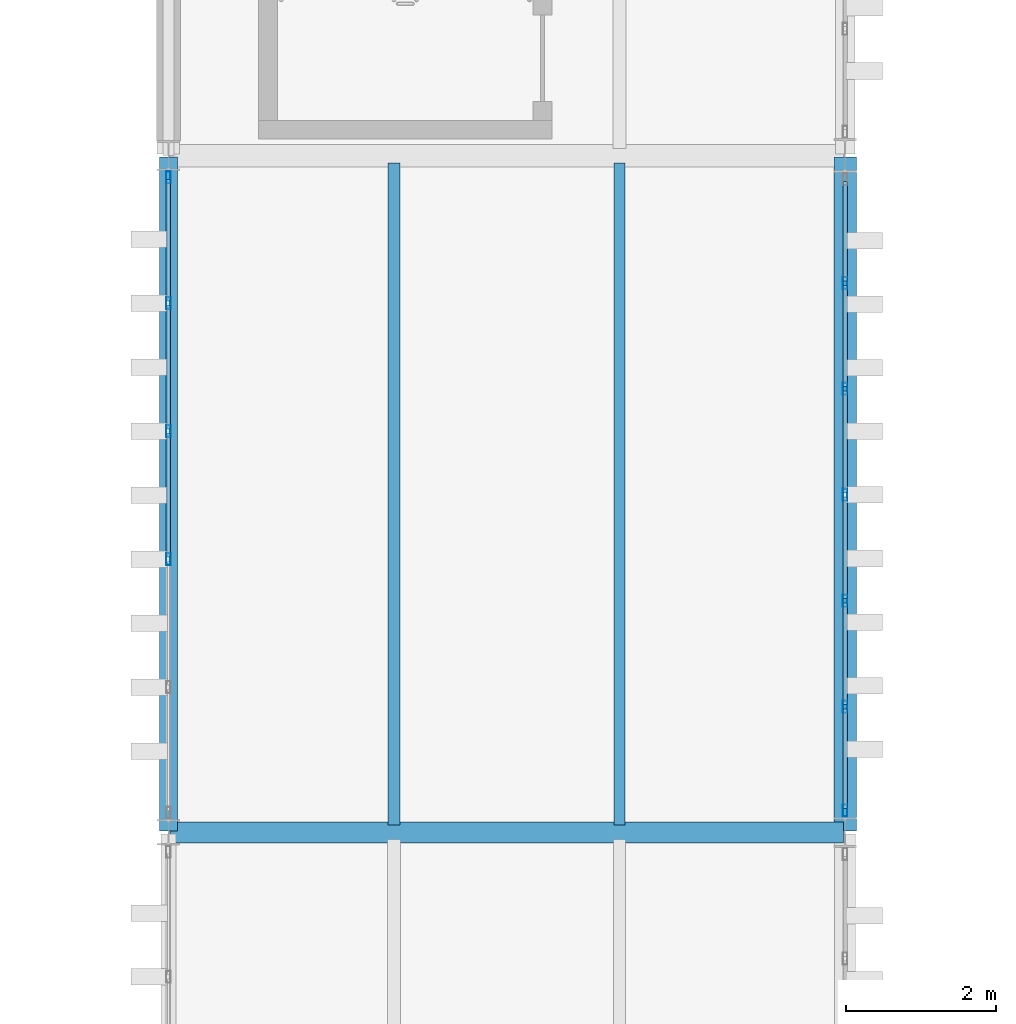
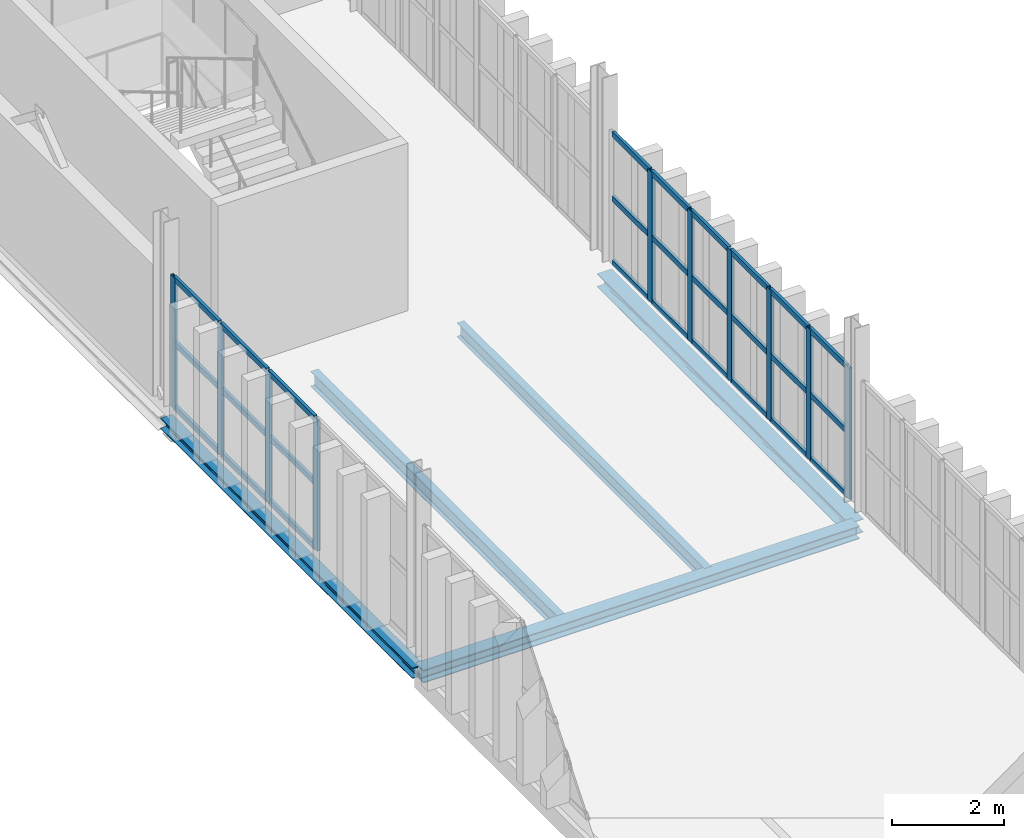
# One storey, part 54 of 102: 37 members, 5 beams, 2 elements without a shape of their own.
"""IFC4 building model written with IfcOpenShell, lengths in metres."""

import ifcopenshell
import ifcopenshell.guid

model = None  # the IFC model being written
_history = None  # IfcOwnerHistory: only IFC2X3 demands one
_inside = {}  # id of a spatial element -> (the spatial element, [elements in it])
_under = {}  # id of a project, library or spatial element -> (it, [spatial elements below it])
_declared = {}  # id of a project -> (the project, [libraries it declares])
_typed = {}  # id of a type object -> (the type object, [elements of that type])
_made_of = {}  # id of a material, layer set ... -> (it, [elements and type objects made of it])


def new_model(schema):
    """Start an empty IFC model of exactly this schema.

    Asked for "IFC4X3", IfcOpenShell would pick the latest addendum, in which some entities
    have other attributes; the version numbers below select the first issue.
    IFC2X3 requires an IfcOwnerHistory on every rooted entity: one is made here for all.
    """
    global model, _history
    if schema == "IFC4X3":
        model = ifcopenshell.file(schema_version=(4, 3, 0, 0))
    else:
        model = ifcopenshell.file(schema=schema)
    _inside.clear()
    _under.clear()
    _declared.clear()
    _typed.clear()
    _made_of.clear()
    _history = None
    if model.schema == "IFC2X3":
        org = make("IfcOrganization", Name="unknown")
        user = make(
            "IfcPersonAndOrganization",
            ThePerson=make("IfcPerson", FamilyName="unknown"),
            TheOrganization=org,
        )
        app = make(
            "IfcApplication",
            ApplicationDeveloper=org,
            Version="unknown",
            ApplicationFullName="unknown",
            ApplicationIdentifier="unknown",
        )
        _history = make(
            "IfcOwnerHistory",
            OwningUser=user,
            OwningApplication=app,
            ChangeAction="ADDED",
            CreationDate=0,
        )
    return model


def make(cls, **values):
    """One entity of the class cls with the attributes given. An attribute that is None is left unset."""
    return model.create_entity(
        cls, **{name: value for name, value in values.items() if value is not None}
    )


def rooted(cls, **values):
    """An entity with a GlobalId (a new one), such as an element, a storey or a relation."""
    return make(cls, GlobalId=ifcopenshell.guid.new(), OwnerHistory=_history, **values)


def si_unit(unit_type, name, prefix=None):
    """IfcSIUnit, for example si_unit("LENGTHUNIT", "METRE", prefix="MILLI")."""
    return make("IfcSIUnit", UnitType=unit_type, Prefix=prefix, Name=name)


def assignment(units):
    """IfcUnitAssignment: the units of a project."""
    return None if units is None else make("IfcUnitAssignment", Units=units)


def point(xyz):
    """IfcCartesianPoint."""
    return None if xyz is None else make("IfcCartesianPoint", Coordinates=xyz)


def direction(xyz):
    """IfcDirection."""
    return None if xyz is None else make("IfcDirection", DirectionRatios=xyz)


def frame(location, z_axis=None, x_axis=None):
    """IfcAxis2Placement3D, a coordinate frame: its origin and axes. An axis left out is left unset."""
    return make(
        "IfcAxis2Placement3D",
        Location=point(location),
        Axis=direction(z_axis),
        RefDirection=direction(x_axis),
    )


def frame_2d(location, x_axis=None):
    """IfcAxis2Placement2D, a coordinate frame in the plane: its origin and x axis."""
    return make(
        "IfcAxis2Placement2D", Location=point(location), RefDirection=direction(x_axis)
    )


def origin():
    """The frame at (0, 0, 0) with its axes left unset."""
    return frame((0.0, 0.0, 0.0))


def origin_2d():
    """The frame at (0, 0) in the plane with its x axis left unset."""
    return frame_2d((0.0, 0.0))


def place(relative_to, where):
    """IfcLocalPlacement: puts the frame where relative to a parent placement (None: the world)."""
    return make(
        "IfcLocalPlacement", PlacementRelTo=relative_to, RelativePlacement=where
    )


def context(
    kind, dimensions, precision=None, world=None, true_north=None, identifier=None
):
    """IfcGeometricRepresentationContext, for example the 3D "Model" context."""
    return make(
        "IfcGeometricRepresentationContext",
        ContextIdentifier=identifier,
        ContextType=kind,
        CoordinateSpaceDimension=dimensions,
        Precision=precision,
        WorldCoordinateSystem=world,
        TrueNorth=true_north,
    )


def subcontext(parent, identifier, kind, view, scale=None):
    """IfcGeometricRepresentationSubContext, for example "Body" below "Model"."""
    return make(
        "IfcGeometricRepresentationSubContext",
        ContextIdentifier=identifier,
        ContextType=kind,
        ParentContext=parent,
        TargetScale=scale,
        TargetView=view,
    )


def project(units=None, contexts=None):
    """IfcProject with its units and contexts."""
    return rooted(
        "IfcProject",
        Name="project",
        RepresentationContexts=contexts,
        UnitsInContext=assignment(units),
    )


def spatial(cls, under=None, at=None, **own):
    """A site, building, storey or space (cls), placed at a placement, below another one or the project."""
    s = rooted(cls, ObjectPlacement=at, **own)
    if under is not None:
        _under.setdefault(under.id(), (under, []))[1].append(s)
    return s


def profile(cls, at=None, kind="AREA", **sizes):
    """A parametric profile (cls). Its sizes go by their IFC names, for example OverallWidth=200.0."""
    return make(cls, ProfileType=kind, Position=at, **sizes)


def hollow_rectangle(**sizes):
    """IfcRectangleHollowProfileDef."""
    return profile("IfcRectangleHollowProfileDef", **sizes)


def i_section(**sizes):
    """IfcIShapeProfileDef."""
    return profile("IfcIShapeProfileDef", **sizes)


def extrude(swept, where, along, depth):
    """IfcExtrudedAreaSolid: the profile swept, set in the frame where, extruded along a direction by depth."""
    return make(
        "IfcExtrudedAreaSolid",
        SweptArea=swept,
        Position=where,
        ExtrudedDirection=direction(along),
        Depth=depth,
    )


def shape(context_of_items, identifier, shape_type, items):
    """IfcShapeRepresentation: the items that make up one representation, for example the "Body"."""
    return make(
        "IfcShapeRepresentation",
        ContextOfItems=context_of_items,
        RepresentationIdentifier=identifier,
        RepresentationType=shape_type,
        Items=items,
    )


def material(Name=None, Category=None):
    """IfcMaterial."""
    return make("IfcMaterial", Name=Name, Category=Category)


def layer(
    of_material, thickness, ventilated=None, Name=None, Category=None, Priority=None
):
    """IfcMaterialLayer: one layer of a wall or slab, of a material (None: an air gap)."""
    return make(
        "IfcMaterialLayer",
        Material=of_material,
        LayerThickness=thickness,
        IsVentilated=ventilated,
        Name=Name,
        Category=Category,
        Priority=Priority,
    )


def layer_set(layers, Name=None):
    """IfcMaterialLayerSet."""
    return make("IfcMaterialLayerSet", MaterialLayers=layers, LayerSetName=Name)


def material_profile(
    of_material, cross_section, Name=None, Category=None, Priority=None
):
    """IfcMaterialProfile: a cross section and its material."""
    return make(
        "IfcMaterialProfile",
        Name=Name,
        Material=of_material,
        Profile=cross_section,
        Priority=Priority,
        Category=Category,
    )


def profile_set(profiles, Name=None, composite=None):
    """IfcMaterialProfileSet."""
    return make(
        "IfcMaterialProfileSet",
        Name=Name,
        MaterialProfiles=profiles,
        CompositeProfile=composite,
    )


def made_of(thing, what):
    """Note that an element or type object is made of a material, layer set ...; save() writes the relation."""
    if what is not None:
        _made_of.setdefault(what.id(), (what, []))[1].append(thing)
    return thing


def type_object(cls, material=None, **own):
    """A type object (cls), such as IfcWallType, which elements share."""
    return made_of(rooted(cls, **own), material)


def element(
    cls,
    number,
    at=None,
    inside=None,
    cuts=None,
    type_object=None,
    material=None,
    context=None,
    identifier="Body",
    shape_type=None,
    held_by="IfcProductDefinitionShape",
    body=None,
    shapes=None,
    **own,
):
    """One element of the class cls, such as IfcWall. Its Tag is "e" and its number.

    at: its placement. inside: the storey or other place that contains it. cuts: it is an
    opening in that element (IfcRelVoidsElement). A single representation is given by context,
    identifier, shape_type and body (its items); several are given by shapes. held_by: the class
    of the entity that holds the representations. save() writes the other relations.
    """
    e = rooted(cls, Tag="e%d" % number, ObjectPlacement=at, **own)
    if body is not None:
        shapes = [shape(context, identifier, shape_type, body)]
    if shapes is not None:
        e.Representation = make(held_by, Representations=shapes)
    if inside is not None:
        _inside.setdefault(inside.id(), (inside, []))[1].append(e)
    if cuts is not None:
        rooted(
            "IfcRelVoidsElement", RelatingBuildingElement=cuts, RelatedOpeningElement=e
        )
    if type_object is not None:
        _typed.setdefault(type_object.id(), (type_object, []))[1].append(e)
    return made_of(e, material)


def aggregate(whole, parts):
    """IfcRelAggregates: a whole, such as a stair, and the parts it consists of."""
    return rooted("IfcRelAggregates", RelatingObject=whole, RelatedObjects=parts)


def save(model, path):
    """Write the relations noted so far, then the file.

    IfcRelAggregates (storeys below a building ...), IfcRelContainedInSpatialStructure (elements
    in a storey), IfcRelDefinesByType, IfcRelAssociatesMaterial and IfcRelDeclares: one each for
    every whole, place, type object, material and project.
    """
    for whole, parts in _under.values():
        aggregate(whole, parts)
    for where, things in _inside.values():
        rooted(
            "IfcRelContainedInSpatialStructure",
            RelatedElements=things,
            RelatingStructure=where,
        )
    for kind, things in _typed.values():
        rooted("IfcRelDefinesByType", RelatedObjects=things, RelatingType=kind)
    for what, things in _made_of.values():
        rooted("IfcRelAssociatesMaterial", RelatedObjects=things, RelatingMaterial=what)
    for by, libraries in _declared.values():
        rooted("IfcRelDeclares", RelatingContext=by, RelatedDefinitions=libraries)
    model.write(path)


model = new_model("IFC4")

# Units and contexts
model_context = context("Model", 3, precision=1e-05, world=origin(), true_north=direction((0.0, 1.0)))
body_context = subcontext(model_context, "Body", "Model", "MODEL_VIEW")
ifc_project = project(units=[si_unit("LENGTHUNIT", "METRE"), si_unit("AREAUNIT", "SQUARE_METRE"), si_unit("VOLUMEUNIT", "CUBIC_METRE"), si_unit("PLANEANGLEUNIT", "RADIAN"), si_unit("MASSUNIT", "GRAM", prefix="KILO")], contexts=[model_context])

# Site, building, storey
site_placement = place(None, origin())
site = spatial("IfcSite", under=ifc_project, at=site_placement, CompositionType="ELEMENT")
building_placement = place(site_placement, origin())
building = spatial("IfcBuilding", under=site, at=building_placement, Name="Barlavento Convention Centre", CompositionType="ELEMENT")
storey_placement = place(building_placement, frame((0.0, 0.0, 22.800048828125)))
storey = spatial("IfcBuildingStorey", under=building, at=storey_placement, Name="L04", CompositionType="ELEMENT", Elevation=22.800048828125)

# Curtain wall, members
ifc_material_1 = material(Name="Powder-coated aluminium and Low-E glass", Category="aluminium")
ifc_layer_1 = layer(ifc_material_1, 0.179931640625)
ifc_layer_set_1 = layer_set([ifc_layer_1], Name="ARC-CW-PATIO-B")
curtain_wall_type_1 = type_object("IfcCurtainWallType", Name="ARC-CW-PATIO-B", PredefinedType="NOTDEFINED", material=ifc_layer_set_1)
curtain_wall_1_placement = place(storey_placement, origin())
curtain_wall_1 = element("IfcCurtainWall", 1, at=curtain_wall_1_placement, inside=storey, type_object=curtain_wall_type_1, Name="L04 unitised curtain wall CW12", PredefinedType="NOTDEFINED")
ifc_material_2 = material(Name="Powder-coated aluminium", Category="aluminium")
ifc_material_profile_1 = material_profile(ifc_material_2, hollow_rectangle(XDim=0.06005859375, YDim=0.159912109375, WallThickness=0.00390625, at=origin_2d()), Name="AL-MULL 60x160x4")
ifc_profile_set_1 = profile_set([ifc_material_profile_1], Name="Powder-coated aluminium")
member_type_1 = type_object("IfcMemberType", Name="ARC-CWM-60X160", PredefinedType="MULLION", material=ifc_profile_set_1)
member_1_placement = place(storey_placement, frame((135.0, 72.2900390625, 0.0), z_axis=(0.0, 0.0, 1.0), x_axis=(-1.0, 0.0, 0.0)))
member_1 = element("IfcMember", 2, at=member_1_placement, type_object=member_type_1, Name="CW12 mullion 1", PredefinedType="MULLION", context=body_context, shape_type="SweptSolid", body=[
    extrude(hollow_rectangle(XDim=0.06005859375, YDim=0.159912109375, WallThickness=0.00390625, at=origin_2d()), origin(), (0.0, 0.0, 1.0), 2.849853515625),
])
member_2_placement = place(storey_placement, frame((135.0, 73.669189453125, 0.0), z_axis=(0.0, 0.0, 1.0), x_axis=(-1.0, 0.0, 0.0)))
member_2 = element("IfcMember", 3, at=member_2_placement, type_object=member_type_1, Name="CW12 mullion 2", PredefinedType="MULLION", context=body_context, shape_type="SweptSolid", body=[
    extrude(hollow_rectangle(XDim=0.06005859375, YDim=0.159912109375, WallThickness=0.00390625, at=origin_2d()), origin(), (0.0, 0.0, 1.0), 2.849853515625),
])
member_3_placement = place(storey_placement, frame((135.0, 75.078369140625, 0.0), z_axis=(0.0, 0.0, 1.0), x_axis=(-1.0, 0.0, 0.0)))
member_3 = element("IfcMember", 4, at=member_3_placement, type_object=member_type_1, Name="CW12 mullion 3", PredefinedType="MULLION", context=body_context, shape_type="SweptSolid", body=[
    extrude(hollow_rectangle(XDim=0.06005859375, YDim=0.159912109375, WallThickness=0.00390625, at=origin_2d()), origin(), (0.0, 0.0, 1.0), 2.849853515625),
])
member_4_placement = place(storey_placement, frame((135.0, 76.487548828125, 0.0), z_axis=(0.0, 0.0, 1.0), x_axis=(-1.0, 0.0, 0.0)))
member_4 = element("IfcMember", 5, at=member_4_placement, type_object=member_type_1, Name="CW12 mullion 4", PredefinedType="MULLION", context=body_context, shape_type="SweptSolid", body=[
    extrude(hollow_rectangle(XDim=0.06005859375, YDim=0.159912109375, WallThickness=0.00390625, at=origin_2d()), origin(), (0.0, 0.0, 1.0), 2.849853515625),
])
member_5_placement = place(storey_placement, frame((135.0, 77.896728515625, 0.0), z_axis=(0.0, 0.0, 1.0), x_axis=(-1.0, 0.0, 0.0)))
member_5 = element("IfcMember", 6, at=member_5_placement, type_object=member_type_1, Name="CW12 mullion 5", PredefinedType="MULLION", context=body_context, shape_type="SweptSolid", body=[
    extrude(hollow_rectangle(XDim=0.06005859375, YDim=0.159912109375, WallThickness=0.00390625, at=origin_2d()), origin(), (0.0, 0.0, 1.0), 2.849853515625),
])
member_6_placement = place(storey_placement, frame((135.0, 79.305908203125, 0.0), z_axis=(0.0, 0.0, 1.0), x_axis=(-1.0, 0.0, 0.0)))
member_6 = element("IfcMember", 7, at=member_6_placement, type_object=member_type_1, Name="CW12 mullion 6", PredefinedType="MULLION", context=body_context, shape_type="SweptSolid", body=[
    extrude(hollow_rectangle(XDim=0.06005859375, YDim=0.159912109375, WallThickness=0.00390625, at=origin_2d()), origin(), (0.0, 0.0, 1.0), 2.849853515625),
])

ifc_layer_2 = layer(ifc_material_1, 0.18505859375)
ifc_layer_set_2 = layer_set([ifc_layer_2], Name="ARC-CW-CONF-L04")
curtain_wall_type_2 = type_object("IfcCurtainWallType", Name="ARC-CW-CONF-L04", PredefinedType="NOTDEFINED", material=ifc_layer_set_2)
curtain_wall_2_placement = place(storey_placement, origin())
curtain_wall_2 = element("IfcCurtainWall", 8, at=curtain_wall_2_placement, inside=storey, type_object=curtain_wall_type_2, Name="L04 unitised curtain wall CW09", PredefinedType="NOTDEFINED")
member_7_placement = place(storey_placement, frame((126.0, 75.634033203125, 0.0), z_axis=(0.0, 0.0, 1.0), x_axis=(-1.0, 0.0, 0.0)))
member_7 = element("IfcMember", 9, at=member_7_placement, type_object=member_type_1, Name="CW09 mullion 3", PredefinedType="MULLION", context=body_context, shape_type="SweptSolid", body=[
    extrude(hollow_rectangle(XDim=0.06005859375, YDim=0.159912109375, WallThickness=0.00390625, at=origin_2d()), origin(), (0.0, 0.0, 1.0), 2.849853515625),
])
member_8_placement = place(storey_placement, frame((126.0, 77.3359375, 0.0), z_axis=(0.0, 0.0, 1.0), x_axis=(-1.0, 0.0, 0.0)))
member_8 = element("IfcMember", 10, at=member_8_placement, type_object=member_type_1, Name="CW09 mullion 4", PredefinedType="MULLION", context=body_context, shape_type="SweptSolid", body=[
    extrude(hollow_rectangle(XDim=0.06005859375, YDim=0.159912109375, WallThickness=0.00390625, at=origin_2d()), origin(), (0.0, 0.0, 1.0), 2.849853515625),
])
member_9_placement = place(storey_placement, frame((126.0, 79.0380859375, 0.0), z_axis=(0.0, 0.0, 1.0), x_axis=(-1.0, 0.0, 0.0)))
member_9 = element("IfcMember", 11, at=member_9_placement, type_object=member_type_1, Name="CW09 mullion 5", PredefinedType="MULLION", context=body_context, shape_type="SweptSolid", body=[
    extrude(hollow_rectangle(XDim=0.06005859375, YDim=0.159912109375, WallThickness=0.00390625, at=origin_2d()), origin(), (0.0, 0.0, 1.0), 2.849853515625),
])
member_10_placement = place(storey_placement, frame((126.0, 80.7099609375, 0.0), z_axis=(0.0, 0.0, 1.0), x_axis=(-1.0, 0.0, 0.0)))
member_10 = element("IfcMember", 12, at=member_10_placement, type_object=member_type_1, Name="CW09 mullion 6", PredefinedType="MULLION", context=body_context, shape_type="SweptSolid", body=[
    extrude(hollow_rectangle(XDim=0.06005859375, YDim=0.159912109375, WallThickness=0.00390625, at=origin_2d()), origin(), (0.0, 0.0, 1.0), 2.849853515625),
])

# Member
ifc_material_profile_2 = material_profile(ifc_material_2, hollow_rectangle(XDim=0.06005859375, YDim=0.1201171875, WallThickness=0.00390625, at=origin_2d()), Name="AL-TRAN 60x120x4")
ifc_profile_set_2 = profile_set([ifc_material_profile_2], Name="Powder-coated aluminium")
member_type_2 = type_object("IfcMemberType", Name="ARC-CWT-60X120", PredefinedType="USERDEFINED", material=ifc_profile_set_2)
member_11_placement = place(storey_placement, frame((135.0, 72.320068359375, 0.030029296875), z_axis=(0.0, 1.0, 0.0), x_axis=(-1.0, 0.0, 0.0)))
member_11 = element("IfcMember", 13, at=member_11_placement, type_object=member_type_2, Name="CW12 transom 1.1", ObjectType="TRANSOM", PredefinedType="USERDEFINED", context=body_context, shape_type="SweptSolid", body=[
    extrude(hollow_rectangle(XDim=0.06005859375, YDim=0.1201171875, WallThickness=0.00390625, at=origin_2d()), origin(), (0.0, 0.0, 1.0), 1.319091796875),
])

member_12_placement = place(storey_placement, frame((135.0, 72.320068359375, 1.425048828125), z_axis=(0.0, 1.0, 0.0), x_axis=(-1.0, 0.0, 0.0)))
member_12 = element("IfcMember", 14, at=member_12_placement, type_object=member_type_2, Name="CW12 transom 1.2", ObjectType="TRANSOM", PredefinedType="USERDEFINED", context=body_context, shape_type="SweptSolid", body=[
    extrude(hollow_rectangle(XDim=0.06005859375, YDim=0.1201171875, WallThickness=0.00390625, at=origin_2d()), origin(), (0.0, 0.0, 1.0), 1.319091796875),
])

member_13_placement = place(storey_placement, frame((135.0, 72.320068359375, 2.820068359375), z_axis=(0.0, 1.0, 0.0), x_axis=(-1.0, 0.0, 0.0)))
member_13 = element("IfcMember", 15, at=member_13_placement, type_object=member_type_2, Name="CW12 transom 1.3", ObjectType="TRANSOM", PredefinedType="USERDEFINED", context=body_context, shape_type="SweptSolid", body=[
    extrude(hollow_rectangle(XDim=0.06005859375, YDim=0.1201171875, WallThickness=0.00390625, at=origin_2d()), origin(), (0.0, 0.0, 1.0), 1.319091796875),
])

member_14_placement = place(storey_placement, frame((135.0, 73.69921875, 0.030029296875), z_axis=(0.0, 1.0, 0.0), x_axis=(-1.0, 0.0, 0.0)))
member_14 = element("IfcMember", 16, at=member_14_placement, type_object=member_type_2, Name="CW12 transom 2.1", ObjectType="TRANSOM", PredefinedType="USERDEFINED", context=body_context, shape_type="SweptSolid", body=[
    extrude(hollow_rectangle(XDim=0.06005859375, YDim=0.1201171875, WallThickness=0.00390625, at=origin_2d()), origin(), (0.0, 0.0, 1.0), 1.34912109375),
])

member_15_placement = place(storey_placement, frame((135.0, 73.69921875, 1.425048828125), z_axis=(0.0, 1.0, 0.0), x_axis=(-1.0, 0.0, 0.0)))
member_15 = element("IfcMember", 17, at=member_15_placement, type_object=member_type_2, Name="CW12 transom 2.2", ObjectType="TRANSOM", PredefinedType="USERDEFINED", context=body_context, shape_type="SweptSolid", body=[
    extrude(hollow_rectangle(XDim=0.06005859375, YDim=0.1201171875, WallThickness=0.00390625, at=origin_2d()), origin(), (0.0, 0.0, 1.0), 1.34912109375),
])

member_16_placement = place(storey_placement, frame((135.0, 73.69921875, 2.820068359375), z_axis=(0.0, 1.0, 0.0), x_axis=(-1.0, 0.0, 0.0)))
member_16 = element("IfcMember", 18, at=member_16_placement, type_object=member_type_2, Name="CW12 transom 2.3", ObjectType="TRANSOM", PredefinedType="USERDEFINED", context=body_context, shape_type="SweptSolid", body=[
    extrude(hollow_rectangle(XDim=0.06005859375, YDim=0.1201171875, WallThickness=0.00390625, at=origin_2d()), origin(), (0.0, 0.0, 1.0), 1.34912109375),
])

member_17_placement = place(storey_placement, frame((135.0, 75.1083984375, 0.030029296875), z_axis=(0.0, 1.0, 0.0), x_axis=(-1.0, 0.0, 0.0)))
member_17 = element("IfcMember", 19, at=member_17_placement, type_object=member_type_2, Name="CW12 transom 3.1", ObjectType="TRANSOM", PredefinedType="USERDEFINED", context=body_context, shape_type="SweptSolid", body=[
    extrude(hollow_rectangle(XDim=0.06005859375, YDim=0.1201171875, WallThickness=0.00390625, at=origin_2d()), origin(), (0.0, 0.0, 1.0), 1.34912109375),
])

member_18_placement = place(storey_placement, frame((135.0, 75.1083984375, 1.425048828125), z_axis=(0.0, 1.0, 0.0), x_axis=(-1.0, 0.0, 0.0)))
member_18 = element("IfcMember", 20, at=member_18_placement, type_object=member_type_2, Name="CW12 transom 3.2", ObjectType="TRANSOM", PredefinedType="USERDEFINED", context=body_context, shape_type="SweptSolid", body=[
    extrude(hollow_rectangle(XDim=0.06005859375, YDim=0.1201171875, WallThickness=0.00390625, at=origin_2d()), origin(), (0.0, 0.0, 1.0), 1.34912109375),
])

member_19_placement = place(storey_placement, frame((135.0, 75.1083984375, 2.820068359375), z_axis=(0.0, 1.0, 0.0), x_axis=(-1.0, 0.0, 0.0)))
member_19 = element("IfcMember", 21, at=member_19_placement, type_object=member_type_2, Name="CW12 transom 3.3", ObjectType="TRANSOM", PredefinedType="USERDEFINED", context=body_context, shape_type="SweptSolid", body=[
    extrude(hollow_rectangle(XDim=0.06005859375, YDim=0.1201171875, WallThickness=0.00390625, at=origin_2d()), origin(), (0.0, 0.0, 1.0), 1.34912109375),
])

member_20_placement = place(storey_placement, frame((135.0, 76.517578125, 0.030029296875), z_axis=(0.0, 1.0, 0.0), x_axis=(-1.0, 0.0, 0.0)))
member_20 = element("IfcMember", 22, at=member_20_placement, type_object=member_type_2, Name="CW12 transom 4.1", ObjectType="TRANSOM", PredefinedType="USERDEFINED", context=body_context, shape_type="SweptSolid", body=[
    extrude(hollow_rectangle(XDim=0.06005859375, YDim=0.1201171875, WallThickness=0.00390625, at=origin_2d()), origin(), (0.0, 0.0, 1.0), 1.34912109375),
])

member_21_placement = place(storey_placement, frame((135.0, 76.517578125, 1.425048828125), z_axis=(0.0, 1.0, 0.0), x_axis=(-1.0, 0.0, 0.0)))
member_21 = element("IfcMember", 23, at=member_21_placement, type_object=member_type_2, Name="CW12 transom 4.2", ObjectType="TRANSOM", PredefinedType="USERDEFINED", context=body_context, shape_type="SweptSolid", body=[
    extrude(hollow_rectangle(XDim=0.06005859375, YDim=0.1201171875, WallThickness=0.00390625, at=origin_2d()), origin(), (0.0, 0.0, 1.0), 1.34912109375),
])

member_22_placement = place(storey_placement, frame((135.0, 76.517578125, 2.820068359375), z_axis=(0.0, 1.0, 0.0), x_axis=(-1.0, 0.0, 0.0)))
member_22 = element("IfcMember", 24, at=member_22_placement, type_object=member_type_2, Name="CW12 transom 4.3", ObjectType="TRANSOM", PredefinedType="USERDEFINED", context=body_context, shape_type="SweptSolid", body=[
    extrude(hollow_rectangle(XDim=0.06005859375, YDim=0.1201171875, WallThickness=0.00390625, at=origin_2d()), origin(), (0.0, 0.0, 1.0), 1.34912109375),
])

member_23_placement = place(storey_placement, frame((135.0, 77.9267578125, 0.030029296875), z_axis=(0.0, 1.0, 0.0), x_axis=(-1.0, 0.0, 0.0)))
member_23 = element("IfcMember", 25, at=member_23_placement, type_object=member_type_2, Name="CW12 transom 5.1", ObjectType="TRANSOM", PredefinedType="USERDEFINED", context=body_context, shape_type="SweptSolid", body=[
    extrude(hollow_rectangle(XDim=0.06005859375, YDim=0.1201171875, WallThickness=0.00390625, at=origin_2d()), origin(), (0.0, 0.0, 1.0), 1.34912109375),
])

member_24_placement = place(storey_placement, frame((135.0, 77.9267578125, 1.425048828125), z_axis=(0.0, 1.0, 0.0), x_axis=(-1.0, 0.0, 0.0)))
member_24 = element("IfcMember", 26, at=member_24_placement, type_object=member_type_2, Name="CW12 transom 5.2", ObjectType="TRANSOM", PredefinedType="USERDEFINED", context=body_context, shape_type="SweptSolid", body=[
    extrude(hollow_rectangle(XDim=0.06005859375, YDim=0.1201171875, WallThickness=0.00390625, at=origin_2d()), origin(), (0.0, 0.0, 1.0), 1.34912109375),
])

member_25_placement = place(storey_placement, frame((135.0, 77.9267578125, 2.820068359375), z_axis=(0.0, 1.0, 0.0), x_axis=(-1.0, 0.0, 0.0)))
member_25 = element("IfcMember", 27, at=member_25_placement, type_object=member_type_2, Name="CW12 transom 5.3", ObjectType="TRANSOM", PredefinedType="USERDEFINED", context=body_context, shape_type="SweptSolid", body=[
    extrude(hollow_rectangle(XDim=0.06005859375, YDim=0.1201171875, WallThickness=0.00390625, at=origin_2d()), origin(), (0.0, 0.0, 1.0), 1.34912109375),
])

member_26_placement = place(storey_placement, frame((135.0, 79.3359375, 0.030029296875), z_axis=(0.0, 1.0, 0.0), x_axis=(-1.0, 0.0, 0.0)))
member_26 = element("IfcMember", 28, at=member_26_placement, type_object=member_type_2, Name="CW12 transom 6.1", ObjectType="TRANSOM", PredefinedType="USERDEFINED", context=body_context, shape_type="SweptSolid", body=[
    extrude(hollow_rectangle(XDim=0.06005859375, YDim=0.1201171875, WallThickness=0.00390625, at=origin_2d()), origin(), (0.0, 0.0, 1.0), 1.319091796875),
])

member_27_placement = place(storey_placement, frame((135.0, 79.3359375, 1.425048828125), z_axis=(0.0, 1.0, 0.0), x_axis=(-1.0, 0.0, 0.0)))
member_27 = element("IfcMember", 29, at=member_27_placement, type_object=member_type_2, Name="CW12 transom 6.2", ObjectType="TRANSOM", PredefinedType="USERDEFINED", context=body_context, shape_type="SweptSolid", body=[
    extrude(hollow_rectangle(XDim=0.06005859375, YDim=0.1201171875, WallThickness=0.00390625, at=origin_2d()), origin(), (0.0, 0.0, 1.0), 1.319091796875),
])

member_28_placement = place(storey_placement, frame((135.0, 79.3359375, 2.820068359375), z_axis=(0.0, 1.0, 0.0), x_axis=(-1.0, 0.0, 0.0)))
member_28 = element("IfcMember", 30, at=member_28_placement, type_object=member_type_2, Name="CW12 transom 6.3", ObjectType="TRANSOM", PredefinedType="USERDEFINED", context=body_context, shape_type="SweptSolid", body=[
    extrude(hollow_rectangle(XDim=0.06005859375, YDim=0.1201171875, WallThickness=0.00390625, at=origin_2d()), origin(), (0.0, 0.0, 1.0), 1.319091796875),
])

aggregate(curtain_wall_1, [member_1, member_2, member_3, member_4, member_5, member_6, member_11, member_12, member_13, member_14, member_15, member_16, member_17, member_18, member_19, member_20, member_21, member_22, member_23, member_24, member_25, member_26, member_27, member_28])

member_29_placement = place(storey_placement, frame((126.0, 75.6640625, 0.030029296875), z_axis=(0.0, 1.0, 0.0), x_axis=(-1.0, 0.0, 0.0)))
member_29 = element("IfcMember", 31, at=member_29_placement, type_object=member_type_2, Name="CW09 transom 3.1", ObjectType="TRANSOM", PredefinedType="USERDEFINED", context=body_context, shape_type="SweptSolid", body=[
    extrude(hollow_rectangle(XDim=0.06005859375, YDim=0.1201171875, WallThickness=0.00390625, at=origin_2d()), origin(), (0.0, 0.0, 1.0), 1.641845703125),
])

member_30_placement = place(storey_placement, frame((126.0, 75.6640625, 1.425048828125), z_axis=(0.0, 1.0, 0.0), x_axis=(-1.0, 0.0, 0.0)))
member_30 = element("IfcMember", 32, at=member_30_placement, type_object=member_type_2, Name="CW09 transom 3.2", ObjectType="TRANSOM", PredefinedType="USERDEFINED", context=body_context, shape_type="SweptSolid", body=[
    extrude(hollow_rectangle(XDim=0.06005859375, YDim=0.1201171875, WallThickness=0.00390625, at=origin_2d()), origin(), (0.0, 0.0, 1.0), 1.641845703125),
])

member_31_placement = place(storey_placement, frame((126.0, 75.6640625, 2.820068359375), z_axis=(0.0, 1.0, 0.0), x_axis=(-1.0, 0.0, 0.0)))
member_31 = element("IfcMember", 33, at=member_31_placement, type_object=member_type_2, Name="CW09 transom 3.3", ObjectType="TRANSOM", PredefinedType="USERDEFINED", context=body_context, shape_type="SweptSolid", body=[
    extrude(hollow_rectangle(XDim=0.06005859375, YDim=0.1201171875, WallThickness=0.00390625, at=origin_2d()), origin(), (0.0, 0.0, 1.0), 1.641845703125),
])

member_32_placement = place(storey_placement, frame((126.0, 77.365966796875, 0.030029296875), z_axis=(0.0, 1.0, 0.0), x_axis=(-1.0, 0.0, 0.0)))
member_32 = element("IfcMember", 34, at=member_32_placement, type_object=member_type_2, Name="CW09 transom 4.1", ObjectType="TRANSOM", PredefinedType="USERDEFINED", context=body_context, shape_type="SweptSolid", body=[
    extrude(hollow_rectangle(XDim=0.06005859375, YDim=0.1201171875, WallThickness=0.00390625, at=origin_2d()), origin(), (0.0, 0.0, 1.0), 1.64208984375),
])

member_33_placement = place(storey_placement, frame((126.0, 77.365966796875, 1.425048828125), z_axis=(0.0, 1.0, 0.0), x_axis=(-1.0, 0.0, 0.0)))
member_33 = element("IfcMember", 35, at=member_33_placement, type_object=member_type_2, Name="CW09 transom 4.2", ObjectType="TRANSOM", PredefinedType="USERDEFINED", context=body_context, shape_type="SweptSolid", body=[
    extrude(hollow_rectangle(XDim=0.06005859375, YDim=0.1201171875, WallThickness=0.00390625, at=origin_2d()), origin(), (0.0, 0.0, 1.0), 1.64208984375),
])

member_34_placement = place(storey_placement, frame((126.0, 77.365966796875, 2.820068359375), z_axis=(0.0, 1.0, 0.0), x_axis=(-1.0, 0.0, 0.0)))
member_34 = element("IfcMember", 36, at=member_34_placement, type_object=member_type_2, Name="CW09 transom 4.3", ObjectType="TRANSOM", PredefinedType="USERDEFINED", context=body_context, shape_type="SweptSolid", body=[
    extrude(hollow_rectangle(XDim=0.06005859375, YDim=0.1201171875, WallThickness=0.00390625, at=origin_2d()), origin(), (0.0, 0.0, 1.0), 1.64208984375),
])

member_35_placement = place(storey_placement, frame((126.0, 79.068115234375, 0.030029296875), z_axis=(0.0, 1.0, 0.0), x_axis=(-1.0, 0.0, 0.0)))
member_35 = element("IfcMember", 37, at=member_35_placement, type_object=member_type_2, Name="CW09 transom 5.1", ObjectType="TRANSOM", PredefinedType="USERDEFINED", context=body_context, shape_type="SweptSolid", body=[
    extrude(hollow_rectangle(XDim=0.06005859375, YDim=0.1201171875, WallThickness=0.00390625, at=origin_2d()), origin(), (0.0, 0.0, 1.0), 1.61181640625),
])

member_36_placement = place(storey_placement, frame((126.0, 79.068115234375, 1.425048828125), z_axis=(0.0, 1.0, 0.0), x_axis=(-1.0, 0.0, 0.0)))
member_36 = element("IfcMember", 38, at=member_36_placement, type_object=member_type_2, Name="CW09 transom 5.2", ObjectType="TRANSOM", PredefinedType="USERDEFINED", context=body_context, shape_type="SweptSolid", body=[
    extrude(hollow_rectangle(XDim=0.06005859375, YDim=0.1201171875, WallThickness=0.00390625, at=origin_2d()), origin(), (0.0, 0.0, 1.0), 1.61181640625),
])

member_37_placement = place(storey_placement, frame((126.0, 79.068115234375, 2.820068359375), z_axis=(0.0, 1.0, 0.0), x_axis=(-1.0, 0.0, 0.0)))
member_37 = element("IfcMember", 39, at=member_37_placement, type_object=member_type_2, Name="CW09 transom 5.3", ObjectType="TRANSOM", PredefinedType="USERDEFINED", context=body_context, shape_type="SweptSolid", body=[
    extrude(hollow_rectangle(XDim=0.06005859375, YDim=0.1201171875, WallThickness=0.00390625, at=origin_2d()), origin(), (0.0, 0.0, 1.0), 1.61181640625),
])

aggregate(curtain_wall_2, [member_7, member_8, member_9, member_10, member_29, member_30, member_31, member_32, member_33, member_34, member_35, member_36, member_37])

# Beams
ifc_material_3 = material(Name="Steel S355", Category="steel")
ifc_material_profile_3 = material_profile(ifc_material_3, i_section(OverallWidth=0.14990234375, OverallDepth=0.300048828125, WebThickness=0.007080078125, FlangeThickness=0.0107421875, FilletRadius=0.014892578125, at=origin_2d()), Name="IPE 300")
ifc_profile_set_3 = profile_set([ifc_material_profile_3], Name="Steel S355")
beam_type_1 = type_object("IfcBeamType", Name="STR-BM-JST-IPE300", PredefinedType="JOIST", material=ifc_profile_set_3)
beam_1_placement = place(storey_placement, frame((132.0, 72.094970703125, -0.510009765625), z_axis=(0.0, 1.0, 0.0), x_axis=(-1.0, 0.0, 0.0)))
element("IfcBeam", 40, at=beam_1_placement, inside=storey, type_object=beam_type_1, Name="L04 composite floor joist SJ07", PredefinedType="JOIST", context=body_context, shape_type="SweptSolid", body=[
    extrude(i_section(OverallWidth=0.14990234375, OverallDepth=0.300048828125, WebThickness=0.007080078125, FlangeThickness=0.0107421875, FilletRadius=0.014892578125, at=origin_2d()), origin(), (0.0, 0.0, 1.0), 8.81005859375),
])
ifc_material_profile_4 = material_profile(ifc_material_3, i_section(OverallWidth=0.159912109375, OverallDepth=0.330078125, WebThickness=0.007568359375, FlangeThickness=0.011474609375, FilletRadius=0.01806640625, at=origin_2d()), Name="IPE 330")
ifc_profile_set_4 = profile_set([ifc_material_profile_4], Name="Steel S355")
beam_type_2 = type_object("IfcBeamType", Name="STR-BM-JST-IPE330", PredefinedType="JOIST", material=ifc_profile_set_4)
beam_2_placement = place(storey_placement, frame((129.0, 72.094970703125, -0.525146484375), z_axis=(0.0, 1.0, 0.0), x_axis=(-1.0, 0.0, 0.0)))
element("IfcBeam", 41, at=beam_2_placement, inside=storey, type_object=beam_type_2, Name="L04 composite floor joist SJ06", PredefinedType="JOIST", context=body_context, shape_type="SweptSolid", body=[
    extrude(i_section(OverallWidth=0.159912109375, OverallDepth=0.330078125, WebThickness=0.007568359375, FlangeThickness=0.011474609375, FilletRadius=0.01806640625, at=origin_2d()), origin(), (0.0, 0.0, 1.0), 8.81005859375),
])
ifc_material_profile_5 = material_profile(ifc_material_3, i_section(OverallWidth=0.280029296875, OverallDepth=0.280029296875, WebThickness=0.010498046875, FlangeThickness=0.01806640625, FilletRadius=0.02392578125, at=origin_2d()), Name="HEB 280")
ifc_profile_set_5 = profile_set([ifc_material_profile_5], Name="Steel S355")
beam_type_3 = type_object("IfcBeamType", Name="STR-BM-PRI-HEB280", PredefinedType="BEAM", material=ifc_profile_set_5)
beam_3_placement = place(storey_placement, frame((126.02001953125, 72.0, -0.5), z_axis=(1.0, 0.0, 0.0), x_axis=(0.0, 1.0, 0.0)))
element("IfcBeam", 42, at=beam_3_placement, inside=storey, type_object=beam_type_3, Name="L04 primary girder BG15", PredefinedType="BEAM", context=body_context, shape_type="SweptSolid", body=[
    extrude(i_section(OverallWidth=0.280029296875, OverallDepth=0.280029296875, WebThickness=0.010498046875, FlangeThickness=0.01806640625, FilletRadius=0.02392578125, at=origin_2d()), origin(), (0.0, 0.0, 1.0), 8.9599609375),
])
ifc_material_profile_6 = material_profile(ifc_material_3, i_section(OverallWidth=0.239990234375, OverallDepth=0.22998046875, WebThickness=0.007568359375, FlangeThickness=0.011962890625, FilletRadius=0.02099609375, at=origin_2d()), Name="HEA 240")
ifc_profile_set_6 = profile_set([ifc_material_profile_6], Name="Steel S355")
beam_type_4 = type_object("IfcBeamType", Name="STR-BM-SPN-HEA240", PredefinedType="SPANDREL", material=ifc_profile_set_6)
beam_4_placement = place(storey_placement, frame((126.0, 72.02001953125, -0.47509765625), z_axis=(0.0, 1.0, 0.0), x_axis=(-1.0, 0.0, 0.0)))
element("IfcBeam", 43, at=beam_4_placement, inside=storey, type_object=beam_type_4, Name="L04 grid girder SP05", PredefinedType="SPANDREL", context=body_context, shape_type="SweptSolid", body=[
    extrude(i_section(OverallWidth=0.239990234375, OverallDepth=0.22998046875, WebThickness=0.007568359375, FlangeThickness=0.011962890625, FilletRadius=0.02099609375, at=origin_2d()), origin(), (0.0, 0.0, 1.0), 8.9599609375),
])
ifc_material_profile_7 = material_profile(ifc_material_3, i_section(OverallWidth=0.300048828125, OverallDepth=0.2900390625, WebThickness=0.008544921875, FlangeThickness=0.013916015625, FilletRadius=0.027099609375, at=origin_2d()), Name="HEA 300")
ifc_profile_set_7 = profile_set([ifc_material_profile_7], Name="Steel S355")
beam_type_5 = type_object("IfcBeamType", Name="STR-BM-SPN-HEA300", PredefinedType="SPANDREL", material=ifc_profile_set_7)
beam_5_placement = place(storey_placement, frame((135.0, 72.02001953125, -0.505126953125), z_axis=(0.0, 1.0, 0.0), x_axis=(-1.0, 0.0, 0.0)))
element("IfcBeam", 44, at=beam_5_placement, inside=storey, type_object=beam_type_5, Name="L04 grid girder SP02", PredefinedType="SPANDREL", context=body_context, shape_type="SweptSolid", body=[
    extrude(i_section(OverallWidth=0.300048828125, OverallDepth=0.2900390625, WebThickness=0.008544921875, FlangeThickness=0.013916015625, FilletRadius=0.027099609375, at=origin_2d()), origin(), (0.0, 0.0, 1.0), 8.9599609375),
])

save(model, "model.ifc")
